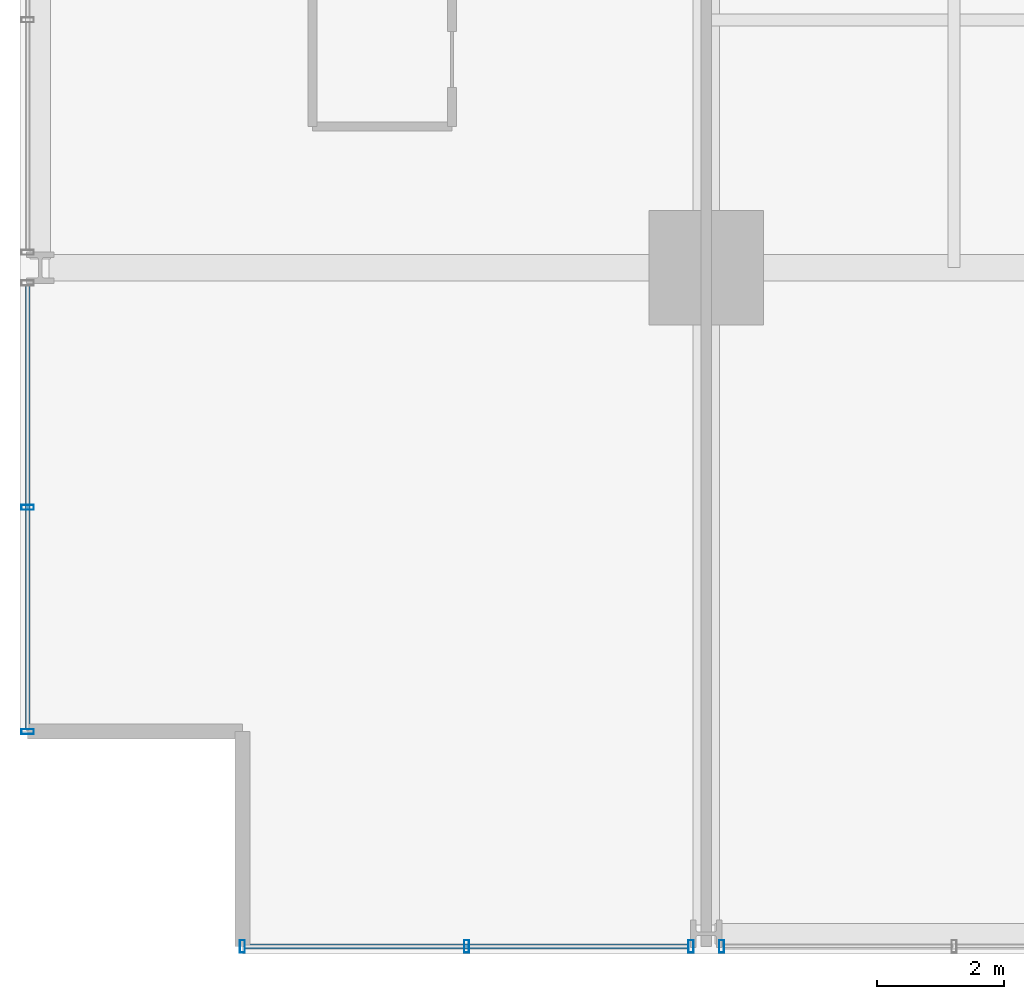
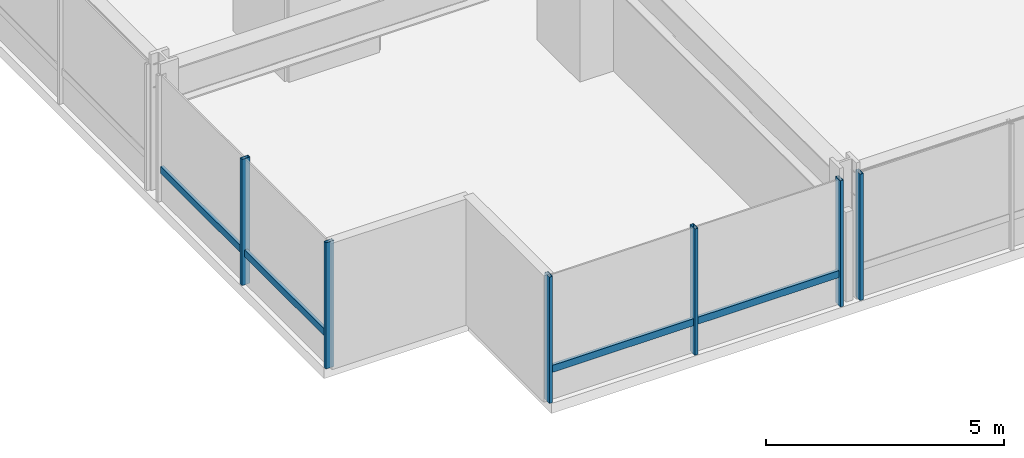
# One storey, part 2 of 38: 8 members, 3 elements without a shape of their own.
"""IFC4 building model written with IfcOpenShell, lengths in metres."""

from ifc_helpers import new_model, si_unit, direction, frame, origin, origin_2d, place, context, subcontext, project, spatial, hollow_rectangle, extrude, material, layer, layer_set, material_profile, profile_set, type_object, element, aggregate, save


model = new_model("IFC4")

# Units and contexts
model_context = context("Model", 3, precision=1e-05, world=origin(), true_north=direction((0.0, 1.0)))
body_context = subcontext(model_context, "Body", "Model", "MODEL_VIEW")
ifc_project = project(units=[si_unit("LENGTHUNIT", "METRE"), si_unit("AREAUNIT", "SQUARE_METRE"), si_unit("VOLUMEUNIT", "CUBIC_METRE"), si_unit("PLANEANGLEUNIT", "RADIAN"), si_unit("MASSUNIT", "GRAM", prefix="KILO")], contexts=[model_context])

# Site, building, storey
site_placement = place(None, origin())
site = spatial("IfcSite", under=ifc_project, at=site_placement, CompositionType="ELEMENT")
building_placement = place(site_placement, origin())
building = spatial("IfcBuilding", under=site, at=building_placement, Name="Drelvath Grand Hotel", CompositionType="ELEMENT")
storey_placement = place(building_placement, frame((0.0, 0.0, 50.699951171875)))
storey = spatial("IfcBuildingStorey", under=building, at=storey_placement, Name="L11", CompositionType="ELEMENT", Elevation=50.699951171875)

# Curtain wall, member
ifc_material = material(Name="Warm Bronze Anodised Aluminium Frame", Category="aluminium")
ifc_layer = layer(ifc_material, 0.199951171875)
ifc_layer_set = layer_set([ifc_layer], Name="Warm Bronze Anodised Aluminium Frame")
curtain_wall_type = type_object("IfcCurtainWallType", Name="Stick Curtain Wall CW-02 Warm Bronze Low-Rise", PredefinedType="NOTDEFINED", material=ifc_layer_set)
curtain_wall_1_placement = place(storey_placement, origin())
curtain_wall_1 = element("IfcCurtainWall", 1, at=curtain_wall_1_placement, inside=storey, type_object=curtain_wall_type, Name="L11 CW-02 Curtain Wall CW02-L11-WS1", PredefinedType="NOTDEFINED")
ifc_material_profile_1 = material_profile(ifc_material, hollow_rectangle(XDim=0.074951171875, YDim=0.179931640625, WallThickness=0.0048828125, at=origin_2d()), Name="HSS180X75X5")
ifc_profile_set_1 = profile_set([ifc_material_profile_1], Name="Warm Bronze Anodised Aluminium Frame")
member_type_1 = type_object("IfcMemberType", Name="Curtain Wall Horizontal Transom CW-02 HSS180X75X5", PredefinedType="USERDEFINED", material=ifc_profile_set_1)
member_1_placement = place(storey_placement, frame((-26.8798828125, 3.5400390625, 0.81005859375), z_axis=(0.0, 1.0, 0.0), x_axis=(-1.0, 0.0, 0.0)))
member_1 = element("IfcMember", 2, at=member_1_placement, type_object=member_type_1, Name="CW02-L11-WS1 Sill Transom", ObjectType="TRANSOM", PredefinedType="USERDEFINED", context=body_context, shape_type="SweptSolid", body=[
    extrude(hollow_rectangle(XDim=0.074951171875, YDim=0.179931640625, WallThickness=0.0048828125, at=origin_2d()), origin(), (0.0, 0.0, 1.0), 6.97900390625),
])

curtain_wall_2_placement = place(storey_placement, origin())
curtain_wall_2 = element("IfcCurtainWall", 3, at=curtain_wall_2_placement, inside=storey, type_object=curtain_wall_type, Name="L11 CW-02 Curtain Wall CW02-L11-SW1", PredefinedType="NOTDEFINED")
member_2_placement = place(storey_placement, frame((-16.48095703125, 0.1201171875, 0.81005859375), z_axis=(-1.0, 0.0, 0.0), x_axis=(0.0, -1.0, 0.0)))
member_2 = element("IfcMember", 4, at=member_2_placement, type_object=member_type_1, Name="CW02-L11-SW1 Sill Transom", ObjectType="TRANSOM", PredefinedType="USERDEFINED", context=body_context, shape_type="SweptSolid", body=[
    extrude(hollow_rectangle(XDim=0.074951171875, YDim=0.179931640625, WallThickness=0.0048828125, at=origin_2d()), origin(), (0.0, 0.0, 1.0), 6.97900390625),
])

# Member
ifc_material_profile_2 = material_profile(ifc_material, hollow_rectangle(XDim=0.080078125, YDim=0.199951171875, WallThickness=0.0048828125, at=origin_2d()), Name="HSS200X80X5")
ifc_profile_set_2 = profile_set([ifc_material_profile_2], Name="Warm Bronze Anodised Aluminium Frame")
member_type_2 = type_object("IfcMemberType", Name="Curtain Wall Vertical Mullion CW-02 HSS200X80X5", PredefinedType="MULLION", material=ifc_profile_set_2)
member_3_placement = place(storey_placement, frame((-26.8798828125, 3.5, 0.0), z_axis=(0.0, 0.0, 1.0), x_axis=(0.0, 1.0, 0.0)))
member_3 = element("IfcMember", 5, at=member_3_placement, type_object=member_type_2, Name="CW02-L11-WS1 Mullion 1", PredefinedType="MULLION", context=body_context, shape_type="SweptSolid", body=[
    extrude(hollow_rectangle(XDim=0.080078125, YDim=0.199951171875, WallThickness=0.0048828125, at=origin_2d()), origin(), (0.0, 0.0, 1.0), 3.239990234375),
])

member_4_placement = place(storey_placement, frame((-26.8798828125, 7.029541015625, 0.0), z_axis=(0.0, 0.0, 1.0), x_axis=(0.0, 1.0, 0.0)))
member_4 = element("IfcMember", 6, at=member_4_placement, type_object=member_type_2, Name="CW02-L11-WS1 Mullion 2", PredefinedType="MULLION", context=body_context, shape_type="SweptSolid", body=[
    extrude(hollow_rectangle(XDim=0.080078125, YDim=0.199951171875, WallThickness=0.0048828125, at=origin_2d()), origin(), (0.0, 0.0, 1.0), 3.239990234375),
])

aggregate(curtain_wall_1, [member_3, member_4, member_1])

member_5_placement = place(storey_placement, frame((-16.44091796875, 0.1201171875, 0.0), z_axis=(0.0, 0.0, 1.0), x_axis=(1.0, 0.0, 0.0)))
member_5 = element("IfcMember", 7, at=member_5_placement, type_object=member_type_2, Name="CW02-L11-SW1 Mullion 1", PredefinedType="MULLION", context=body_context, shape_type="SweptSolid", body=[
    extrude(hollow_rectangle(XDim=0.080078125, YDim=0.199951171875, WallThickness=0.0048828125, at=origin_2d()), origin(), (0.0, 0.0, 1.0), 3.239990234375),
])

member_6_placement = place(storey_placement, frame((-19.970458984375, 0.1201171875, 0.0), z_axis=(0.0, 0.0, 1.0), x_axis=(1.0, 0.0, 0.0)))
member_6 = element("IfcMember", 8, at=member_6_placement, type_object=member_type_2, Name="CW02-L11-SW1 Mullion 2", PredefinedType="MULLION", context=body_context, shape_type="SweptSolid", body=[
    extrude(hollow_rectangle(XDim=0.080078125, YDim=0.199951171875, WallThickness=0.0048828125, at=origin_2d()), origin(), (0.0, 0.0, 1.0), 3.239990234375),
])

member_7_placement = place(storey_placement, frame((-23.5, 0.1201171875, 0.0), z_axis=(0.0, 0.0, 1.0), x_axis=(1.0, 0.0, 0.0)))
member_7 = element("IfcMember", 9, at=member_7_placement, type_object=member_type_2, Name="CW02-L11-SW1 Mullion 3", PredefinedType="MULLION", context=body_context, shape_type="SweptSolid", body=[
    extrude(hollow_rectangle(XDim=0.080078125, YDim=0.199951171875, WallThickness=0.0048828125, at=origin_2d()), origin(), (0.0, 0.0, 1.0), 3.239990234375),
])

aggregate(curtain_wall_2, [member_5, member_6, member_7, member_2])

# Curtain wall, member
curtain_wall_3_placement = place(storey_placement, origin())
curtain_wall_3 = element("IfcCurtainWall", 10, at=curtain_wall_3_placement, inside=storey, type_object=curtain_wall_type, Name="L11 CW-02 Curtain Wall CW02-L11-SW2", PredefinedType="NOTDEFINED")
member_8_placement = place(storey_placement, frame((-15.958984375, 0.1201171875, 0.0), z_axis=(0.0, 0.0, 1.0), x_axis=(1.0, 0.0, 0.0)))
member_8 = element("IfcMember", 11, at=member_8_placement, type_object=member_type_2, Name="CW02-L11-SW2 Mullion 3", PredefinedType="MULLION", context=body_context, shape_type="SweptSolid", body=[
    extrude(hollow_rectangle(XDim=0.080078125, YDim=0.199951171875, WallThickness=0.0048828125, at=origin_2d()), origin(), (0.0, 0.0, 1.0), 3.239990234375),
])
aggregate(curtain_wall_3, [member_8])

save(model, "model.ifc")
